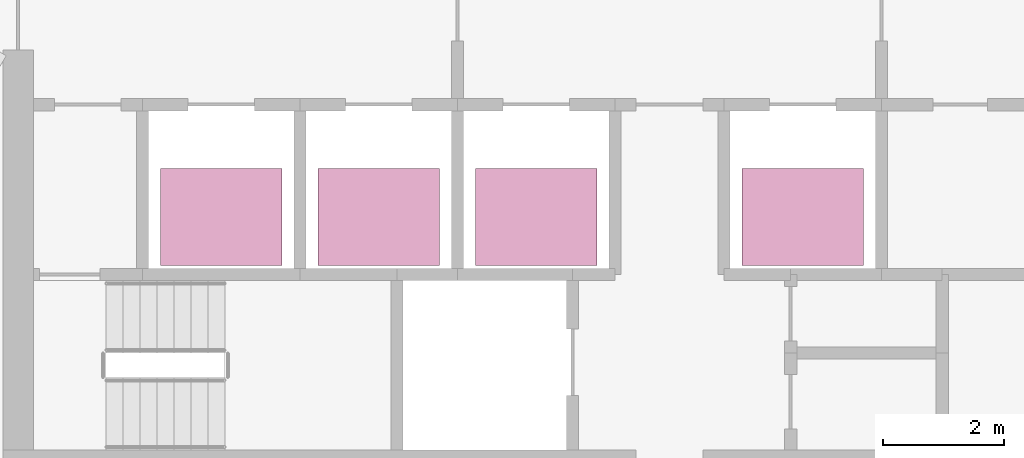
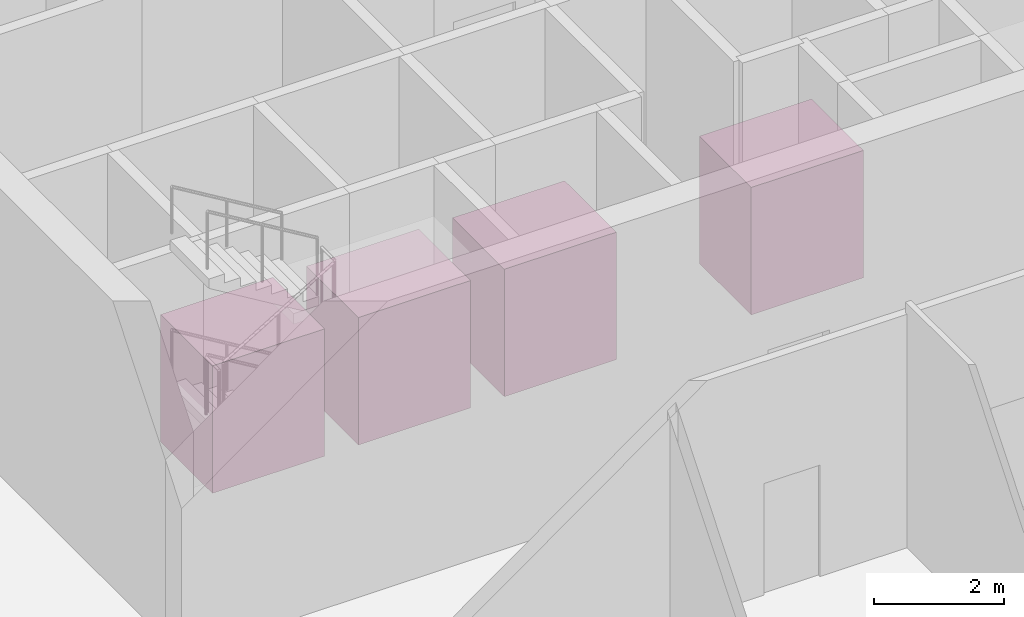
# One storey, part 11 of 11: 4 transport elements.
"""IFC4 building model written with IfcOpenShell, lengths in metres."""

import ifcopenshell
import ifcopenshell.guid

model = None  # the IFC model being written
_history = None  # IfcOwnerHistory: only IFC2X3 demands one
_inside = {}  # id of a spatial element -> (the spatial element, [elements in it])
_under = {}  # id of a project, library or spatial element -> (it, [spatial elements below it])
_declared = {}  # id of a project -> (the project, [libraries it declares])
_typed = {}  # id of a type object -> (the type object, [elements of that type])
_made_of = {}  # id of a material, layer set ... -> (it, [elements and type objects made of it])


def new_model(schema):
    """Start an empty IFC model of exactly this schema.

    Asked for "IFC4X3", IfcOpenShell would pick the latest addendum, in which some entities
    have other attributes; the version numbers below select the first issue.
    IFC2X3 requires an IfcOwnerHistory on every rooted entity: one is made here for all.
    """
    global model, _history
    if schema == "IFC4X3":
        model = ifcopenshell.file(schema_version=(4, 3, 0, 0))
    else:
        model = ifcopenshell.file(schema=schema)
    _inside.clear()
    _under.clear()
    _declared.clear()
    _typed.clear()
    _made_of.clear()
    _history = None
    if model.schema == "IFC2X3":
        org = make("IfcOrganization", Name="unknown")
        user = make(
            "IfcPersonAndOrganization",
            ThePerson=make("IfcPerson", FamilyName="unknown"),
            TheOrganization=org,
        )
        app = make(
            "IfcApplication",
            ApplicationDeveloper=org,
            Version="unknown",
            ApplicationFullName="unknown",
            ApplicationIdentifier="unknown",
        )
        _history = make(
            "IfcOwnerHistory",
            OwningUser=user,
            OwningApplication=app,
            ChangeAction="ADDED",
            CreationDate=0,
        )
    return model


def make(cls, **values):
    """One entity of the class cls with the attributes given. An attribute that is None is left unset."""
    return model.create_entity(
        cls, **{name: value for name, value in values.items() if value is not None}
    )


def rooted(cls, **values):
    """An entity with a GlobalId (a new one), such as an element, a storey or a relation."""
    return make(cls, GlobalId=ifcopenshell.guid.new(), OwnerHistory=_history, **values)


def si_unit(unit_type, name, prefix=None):
    """IfcSIUnit, for example si_unit("LENGTHUNIT", "METRE", prefix="MILLI")."""
    return make("IfcSIUnit", UnitType=unit_type, Prefix=prefix, Name=name)


def assignment(units):
    """IfcUnitAssignment: the units of a project."""
    return None if units is None else make("IfcUnitAssignment", Units=units)


def point(xyz):
    """IfcCartesianPoint."""
    return None if xyz is None else make("IfcCartesianPoint", Coordinates=xyz)


def direction(xyz):
    """IfcDirection."""
    return None if xyz is None else make("IfcDirection", DirectionRatios=xyz)


def frame(location, z_axis=None, x_axis=None):
    """IfcAxis2Placement3D, a coordinate frame: its origin and axes. An axis left out is left unset."""
    return make(
        "IfcAxis2Placement3D",
        Location=point(location),
        Axis=direction(z_axis),
        RefDirection=direction(x_axis),
    )


def frame_2d(location, x_axis=None):
    """IfcAxis2Placement2D, a coordinate frame in the plane: its origin and x axis."""
    return make(
        "IfcAxis2Placement2D", Location=point(location), RefDirection=direction(x_axis)
    )


def origin():
    """The frame at (0, 0, 0) with its axes left unset."""
    return frame((0.0, 0.0, 0.0))


def origin_2d():
    """The frame at (0, 0) in the plane with its x axis left unset."""
    return frame_2d((0.0, 0.0))


def place(relative_to, where):
    """IfcLocalPlacement: puts the frame where relative to a parent placement (None: the world)."""
    return make(
        "IfcLocalPlacement", PlacementRelTo=relative_to, RelativePlacement=where
    )


def context(
    kind, dimensions, precision=None, world=None, true_north=None, identifier=None
):
    """IfcGeometricRepresentationContext, for example the 3D "Model" context."""
    return make(
        "IfcGeometricRepresentationContext",
        ContextIdentifier=identifier,
        ContextType=kind,
        CoordinateSpaceDimension=dimensions,
        Precision=precision,
        WorldCoordinateSystem=world,
        TrueNorth=true_north,
    )


def subcontext(parent, identifier, kind, view, scale=None):
    """IfcGeometricRepresentationSubContext, for example "Body" below "Model"."""
    return make(
        "IfcGeometricRepresentationSubContext",
        ContextIdentifier=identifier,
        ContextType=kind,
        ParentContext=parent,
        TargetScale=scale,
        TargetView=view,
    )


def project(units=None, contexts=None):
    """IfcProject with its units and contexts."""
    return rooted(
        "IfcProject",
        Name="project",
        RepresentationContexts=contexts,
        UnitsInContext=assignment(units),
    )


def spatial(cls, under=None, at=None, **own):
    """A site, building, storey or space (cls), placed at a placement, below another one or the project."""
    s = rooted(cls, ObjectPlacement=at, **own)
    if under is not None:
        _under.setdefault(under.id(), (under, []))[1].append(s)
    return s


def profile(cls, at=None, kind="AREA", **sizes):
    """A parametric profile (cls). Its sizes go by their IFC names, for example OverallWidth=200.0."""
    return make(cls, ProfileType=kind, Position=at, **sizes)


def rectangle(**sizes):
    """IfcRectangleProfileDef."""
    return profile("IfcRectangleProfileDef", **sizes)


def extrude(swept, where, along, depth):
    """IfcExtrudedAreaSolid: the profile swept, set in the frame where, extruded along a direction by depth."""
    return make(
        "IfcExtrudedAreaSolid",
        SweptArea=swept,
        Position=where,
        ExtrudedDirection=direction(along),
        Depth=depth,
    )


def shape(context_of_items, identifier, shape_type, items):
    """IfcShapeRepresentation: the items that make up one representation, for example the "Body"."""
    return make(
        "IfcShapeRepresentation",
        ContextOfItems=context_of_items,
        RepresentationIdentifier=identifier,
        RepresentationType=shape_type,
        Items=items,
    )


def material(Name=None, Category=None):
    """IfcMaterial."""
    return make("IfcMaterial", Name=Name, Category=Category)


def made_of(thing, what):
    """Note that an element or type object is made of a material, layer set ...; save() writes the relation."""
    if what is not None:
        _made_of.setdefault(what.id(), (what, []))[1].append(thing)
    return thing


def type_object(cls, material=None, **own):
    """A type object (cls), such as IfcWallType, which elements share."""
    return made_of(rooted(cls, **own), material)


def element(
    cls,
    number,
    at=None,
    inside=None,
    cuts=None,
    type_object=None,
    material=None,
    context=None,
    identifier="Body",
    shape_type=None,
    held_by="IfcProductDefinitionShape",
    body=None,
    shapes=None,
    **own,
):
    """One element of the class cls, such as IfcWall. Its Tag is "e" and its number.

    at: its placement. inside: the storey or other place that contains it. cuts: it is an
    opening in that element (IfcRelVoidsElement). A single representation is given by context,
    identifier, shape_type and body (its items); several are given by shapes. held_by: the class
    of the entity that holds the representations. save() writes the other relations.
    """
    e = rooted(cls, Tag="e%d" % number, ObjectPlacement=at, **own)
    if body is not None:
        shapes = [shape(context, identifier, shape_type, body)]
    if shapes is not None:
        e.Representation = make(held_by, Representations=shapes)
    if inside is not None:
        _inside.setdefault(inside.id(), (inside, []))[1].append(e)
    if cuts is not None:
        rooted(
            "IfcRelVoidsElement", RelatingBuildingElement=cuts, RelatedOpeningElement=e
        )
    if type_object is not None:
        _typed.setdefault(type_object.id(), (type_object, []))[1].append(e)
    return made_of(e, material)


def aggregate(whole, parts):
    """IfcRelAggregates: a whole, such as a stair, and the parts it consists of."""
    return rooted("IfcRelAggregates", RelatingObject=whole, RelatedObjects=parts)


def save(model, path):
    """Write the relations noted so far, then the file.

    IfcRelAggregates (storeys below a building ...), IfcRelContainedInSpatialStructure (elements
    in a storey), IfcRelDefinesByType, IfcRelAssociatesMaterial and IfcRelDeclares: one each for
    every whole, place, type object, material and project.
    """
    for whole, parts in _under.values():
        aggregate(whole, parts)
    for where, things in _inside.values():
        rooted(
            "IfcRelContainedInSpatialStructure",
            RelatedElements=things,
            RelatingStructure=where,
        )
    for kind, things in _typed.values():
        rooted("IfcRelDefinesByType", RelatedObjects=things, RelatingType=kind)
    for what, things in _made_of.values():
        rooted("IfcRelAssociatesMaterial", RelatedObjects=things, RelatingMaterial=what)
    for by, libraries in _declared.values():
        rooted("IfcRelDeclares", RelatingContext=by, RelatedDefinitions=libraries)
    model.write(path)


model = new_model("IFC4")

# Units and contexts
model_context = context("Model", 3, precision=1e-05, world=origin(), true_north=direction((0.0, 1.0)))
body_context = subcontext(model_context, "Body", "Model", "MODEL_VIEW")
ifc_project = project(units=[si_unit("LENGTHUNIT", "METRE"), si_unit("AREAUNIT", "SQUARE_METRE"), si_unit("VOLUMEUNIT", "CUBIC_METRE"), si_unit("PLANEANGLEUNIT", "RADIAN"), si_unit("MASSUNIT", "GRAM", prefix="KILO")], contexts=[model_context])

# Site, building, storey
site_placement = place(None, origin())
site = spatial("IfcSite", under=ifc_project, at=site_placement, CompositionType="ELEMENT")
building_placement = place(site_placement, origin())
building = spatial("IfcBuilding", under=site, at=building_placement, Name="Sierra Prisma Convention Tower", CompositionType="ELEMENT")
storey_placement = place(building_placement, frame((0.0, 0.0, 28.800048828125)))
storey = spatial("IfcBuildingStorey", under=building, at=storey_placement, Name="L04", CompositionType="ELEMENT", Elevation=28.800048828125)

# Transport elements
ifc_material = material(Name="Stainless steel", Category="steel")
transport_element_type = type_object("IfcTransportElementType", Name="Lift car podium 2000x1600 1600 kg", PredefinedType="ELEVATOR", material=ifc_material)
for number, where, z_axis, x_axis, name in (
    (1, (-7.39990234375, -3.64990234375, 0.0), (0.0, 0.0, 1.0), (1.0, 0.0, 0.0), "Lift PD1"),
    (2, (-4.800048828125, -3.64990234375, 0.0), (0.0, 0.0, 1.0), (1.0, 0.0, 0.0), "Lift PD2"),
    (3, (-2.199951171875, -3.64990234375, 0.0), (0.0, 0.0, 1.0), (1.0, 0.0, 0.0), "Lift PD3"),
    (4, (2.199951171875, -3.64990234375, 0.0), (0.0, 0.0, 1.0), (1.0, 0.0, 0.0), "Lift PD4"),
):
    element("IfcTransportElement", number, at=place(storey_placement, frame(where, z_axis=z_axis, x_axis=x_axis)), inside=storey, type_object=transport_element_type, Name=name, PredefinedType="ELEVATOR", context=body_context, shape_type="SweptSolid", body=[
        extrude(rectangle(XDim=2.0, YDim=1.60009765625, at=origin_2d()), origin(), (0.0, 0.0, 1.0), 2.39990234375),
    ])

save(model, "model.ifc")
